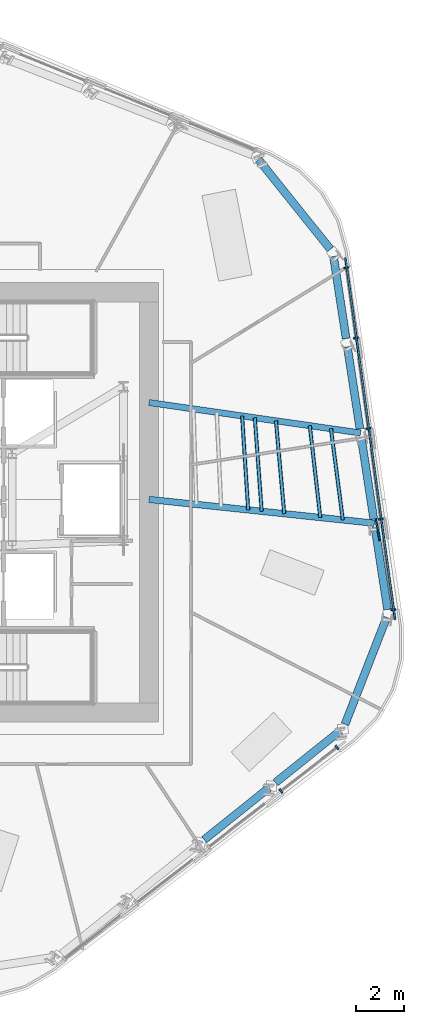
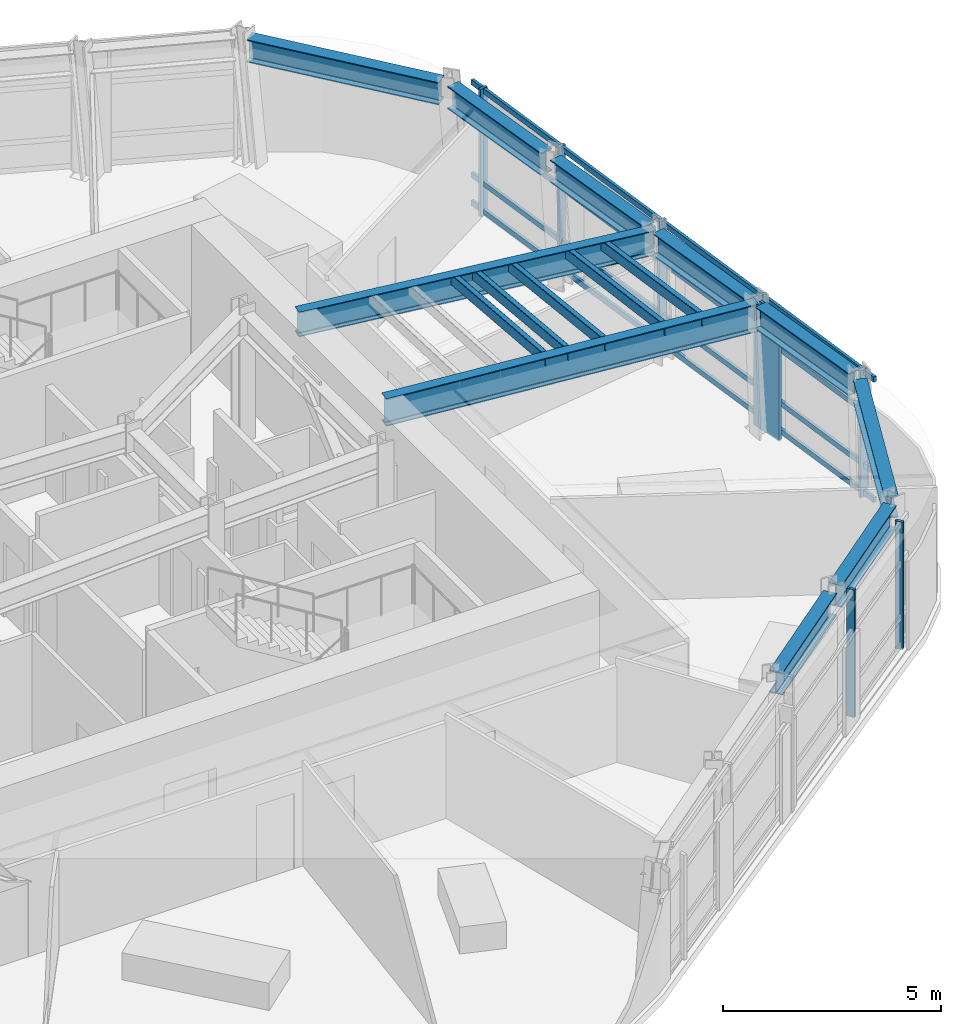
# One storey, part 5 of 15: 17 members, 10 beams, 2 elements without a shape of their own.
"""IFC4 building model written with IfcOpenShell, lengths in metres."""

from ifc_helpers import new_model, si_unit, direction, frame, origin, origin_2d, place, context, subcontext, project, spatial, rectangle, hollow_rectangle, i_section, extrude, material, layer, layer_set, material_profile, profile_set, type_object, element, aggregate, save


model = new_model("IFC4")

# Units and contexts
model_context = context("Model", 3, precision=1e-05, world=origin(), true_north=direction((0.0, 1.0)))
body_context = subcontext(model_context, "Body", "Model", "MODEL_VIEW")
ifc_project = project(units=[si_unit("LENGTHUNIT", "METRE"), si_unit("AREAUNIT", "SQUARE_METRE"), si_unit("VOLUMEUNIT", "CUBIC_METRE"), si_unit("PLANEANGLEUNIT", "RADIAN"), si_unit("MASSUNIT", "GRAM", prefix="KILO")], contexts=[model_context])

# Site, building, storey
site_placement = place(None, origin())
site = spatial("IfcSite", under=ifc_project, at=site_placement, CompositionType="ELEMENT")
building_placement = place(site_placement, origin())
building = spatial("IfcBuilding", under=site, at=building_placement, Name="Valkerne Bourse Tower", CompositionType="ELEMENT")
storey_placement = place(building_placement, frame((0.0, 0.0, 185.60009765625)))
storey = spatial("IfcBuildingStorey", under=building, at=storey_placement, Name="L47", CompositionType="ELEMENT", Elevation=185.60009765625)

# Beams
ifc_material_1 = material(Name="Steel ASTM A992", Category="steel")
ifc_material_profile_1 = material_profile(ifc_material_1, i_section(OverallWidth=0.32763671875, OverallDepth=0.62744140625, WebThickness=0.0166015625, FlangeThickness=0.027587890625, FilletRadius=0.020263671875, at=origin_2d()), Name="W24X146")
ifc_profile_set_1 = profile_set([ifc_material_profile_1], Name="Steel ASTM A992")
beam_type_1 = type_object("IfcBeamType", Name="BM-W24X146", PredefinedType="SPANDREL", material=ifc_profile_set_1)
for number, where, z_axis, x_axis, name in (
    (1, (58.276611328125, 12.94677734375, 3.26611328125), (0.780403454495, 0.625276297497, 0.0), (-0.625276297497, 0.780403454495, 0.0), "L47 Hexagonal Spandrel Ring Beam 22"),
    (2, (61.219482421875, 15.3046875, 3.26611328125), (0.780465994483, 0.625198233728, 0.0), (-0.625198233728, 0.780465994483, 0.0), "L47 Hexagonal Spandrel Ring Beam 23"),
):
    element("IfcBeam", number, at=place(storey_placement, frame(where, z_axis=z_axis, x_axis=x_axis)), inside=storey, type_object=beam_type_1, Name=name, PredefinedType="SPANDREL", context=body_context, shape_type="SweptSolid", body=[
        extrude(i_section(OverallWidth=0.32763671875, OverallDepth=0.62744140625, WebThickness=0.0166015625, FlangeThickness=0.027587890625, FilletRadius=0.020263671875, at=origin_2d()), origin(), (0.0, 0.0, 1.0), 3.430908203125),
    ])
beam_1_placement = place(storey_placement, frame((64.091796875, 17.714599609375, 3.26611328125), z_axis=(0.363241549817, 0.931695001857, 0.0), x_axis=(-0.931695001857, 0.363241549817, 0.0)))
element("IfcBeam", 3, at=beam_1_placement, inside=storey, type_object=beam_type_1, Name="L47 Hexagonal Spandrel Ring Beam 24", PredefinedType="SPANDREL", context=body_context, shape_type="SweptSolid", body=[
    extrude(i_section(OverallWidth=0.32763671875, OverallDepth=0.62744140625, WebThickness=0.0166015625, FlangeThickness=0.027587890625, FilletRadius=0.020263671875, at=origin_2d()), origin(), (0.0, 0.0, 1.0), 4.73974609375),
])
for number, where, z_axis, x_axis, name in (
    (4, (65.849609375, 22.45703125, 3.26611328125), (-0.151276483407, 0.988491489881, 0.0), (-0.988491489881, -0.151276483407, 0.0), "L47 Hexagonal Spandrel Ring Beam 25"),
    (5, (65.279296875, 26.184814453125, 3.26611328125), (-0.151276483407, 0.988491489881, 0.0), (-0.988491489881, -0.151276483407, 0.0), "L47 Hexagonal Spandrel Ring Beam 26"),
    (6, (64.708740234375, 29.912353515625, 3.26611328125), (-0.151276483407, 0.988491489881, 0.0), (-0.988491489881, -0.151276483407, 0.0), "L47 Hexagonal Spandrel Ring Beam 27"),
    (7, (64.138427734375, 33.639892578125, 3.26611328125), (-0.151276483407, 0.988491489881, 0.0), (-0.988491489881, -0.151276483407, 0.0), "L47 Hexagonal Spandrel Ring Beam 28"),
):
    element("IfcBeam", number, at=place(storey_placement, frame(where, z_axis=z_axis, x_axis=x_axis)), inside=storey, type_object=beam_type_1, Name=name, PredefinedType="SPANDREL", context=body_context, shape_type="SweptSolid", body=[
        extrude(i_section(OverallWidth=0.32763671875, OverallDepth=0.62744140625, WebThickness=0.0166015625, FlangeThickness=0.027587890625, FilletRadius=0.020263671875, at=origin_2d()), origin(), (0.0, 0.0, 1.0), 3.43115234375),
    ])
beam_2_placement = place(storey_placement, frame((63.4873046875, 37.332275390625, 3.26611328125), z_axis=(-0.625241369448, 0.780431438328, 0.0), x_axis=(-0.780431438328, -0.625241369448, 0.0)))
element("IfcBeam", 8, at=beam_2_placement, inside=storey, type_object=beam_type_1, Name="L47 Hexagonal Spandrel Ring Beam 29", PredefinedType="SPANDREL", context=body_context, shape_type="SweptSolid", body=[
    extrude(i_section(OverallWidth=0.32763671875, OverallDepth=0.62744140625, WebThickness=0.0166015625, FlangeThickness=0.027587890625, FilletRadius=0.020263671875, at=origin_2d()), origin(), (0.0, 0.0, 1.0), 4.739990234375),
])
ifc_material_profile_2 = material_profile(ifc_material_1, i_section(OverallWidth=0.255859375, OverallDepth=0.693359375, WebThickness=0.014404296875, FlangeThickness=0.023681640625, FilletRadius=0.02294921875, at=origin_2d()), Name="W27X114")
ifc_profile_set_2 = profile_set([ifc_material_profile_2], Name="Steel ASTM A992")
beam_type_2 = type_object("IfcBeamType", Name="BM-W27X114", PredefinedType="BEAM", material=ifc_profile_set_2)
beam_3_placement = place(storey_placement, frame((64.734619140625, 29.744384765625, 3.233154296875), z_axis=(-0.989825167436, 0.142288924061, 0.0), x_axis=(-0.142288924061, -0.989825167436, 0.0)))
element("IfcBeam", 9, at=beam_3_placement, inside=storey, type_object=beam_type_2, Name="L47 Radial Composite Floor Beam 27", PredefinedType="BEAM", context=body_context, shape_type="SweptSolid", body=[
    extrude(i_section(OverallWidth=0.255859375, OverallDepth=0.693359375, WebThickness=0.014404296875, FlangeThickness=0.023681640625, FilletRadius=0.02294921875, at=origin_2d()), origin(), (0.0, 0.0, 1.0), 8.824462890625),
])
ifc_material_profile_3 = material_profile(ifc_material_1, i_section(OverallWidth=0.26806640625, OverallDepth=0.76953125, WebThickness=0.015625, FlangeThickness=0.025390625, FilletRadius=0.025390625, at=origin_2d()), Name="W30X132")
ifc_profile_set_3 = profile_set([ifc_material_profile_3], Name="Steel ASTM A992")
beam_type_3 = type_object("IfcBeamType", Name="BM-W30X132", PredefinedType="BEAM", material=ifc_profile_set_3)
beam_4_placement = place(storey_placement, frame((65.304931640625, 26.0166015625, 3.195068359375), z_axis=(-0.994461616538, 0.105100395965, 0.0), x_axis=(-0.105100395965, -0.994461616538, 0.0)))
element("IfcBeam", 10, at=beam_4_placement, inside=storey, type_object=beam_type_3, Name="L47 Radial Composite Floor Beam 26", PredefinedType="BEAM", context=body_context, shape_type="SweptSolid", body=[
    extrude(i_section(OverallWidth=0.26806640625, OverallDepth=0.76953125, WebThickness=0.015625, FlangeThickness=0.025390625, FilletRadius=0.025390625, at=origin_2d()), origin(), (0.0, 0.0, 1.0), 9.356689453125),
])

# Curtain wall, members
ifc_material_2 = material(Name="Aluminium AA 6063-T6", Category="aluminium")
ifc_layer = layer(ifc_material_2, 0.235107421875)
ifc_layer_set = layer_set([ifc_layer], Name="Aluminium AA 6063-T6")
curtain_wall_type = type_object("IfcCurtainWallType", Name="CW-03", PredefinedType="NOTDEFINED", material=ifc_layer_set)
curtain_wall_1_placement = place(storey_placement, origin())
curtain_wall_1 = element("IfcCurtainWall", 11, at=curtain_wall_1_placement, inside=storey, type_object=curtain_wall_type, Name="L47 Hexagonal Stick Curtain Wall Face 5", PredefinedType="NOTDEFINED")
ifc_material_profile_4 = material_profile(ifc_material_2, rectangle(XDim=0.074951171875, YDim=0.199951171875, at=origin_2d()), Name="CWM-75X200")
ifc_profile_set_4 = profile_set([ifc_material_profile_4], Name="Aluminium AA 6063-T6")
member_type_1 = type_object("IfcMemberType", Name="CW-MUL-220X75", PredefinedType="MULLION", material=ifc_profile_set_4)
member_1_placement = place(storey_placement, frame((61.440185546875, 14.964111328125, 0.0), z_axis=(0.0, 0.0, 1.0), x_axis=(0.790154015691, 0.612908338569, 0.0)))
member_1 = element("IfcMember", 12, at=member_1_placement, type_object=member_type_1, Name="CW-L47-F5 Jamb Mullion 03A", PredefinedType="MULLION", context=body_context, shape_type="SweptSolid", body=[
    extrude(rectangle(XDim=0.074951171875, YDim=0.199951171875, at=origin_2d()), origin(), (0.0, 0.0, 1.0), 3.579833984375),
])
member_2_placement = place(storey_placement, frame((63.756103515625, 16.760498046875, 0.0), z_axis=(0.0, 0.0, 1.0), x_axis=(0.790154015691, 0.612908338569, 0.0)))
member_2 = element("IfcMember", 13, at=member_2_placement, type_object=member_type_1, Name="CW-L47-F5 Jamb Mullion 03B", PredefinedType="MULLION", context=body_context, shape_type="SweptSolid", body=[
    extrude(rectangle(XDim=0.074951171875, YDim=0.199951171875, at=origin_2d()), origin(), (0.0, 0.0, 1.0), 3.579833984375),
])
aggregate(curtain_wall_1, [member_1, member_2])

curtain_wall_2_placement = place(storey_placement, origin())
curtain_wall_2 = element("IfcCurtainWall", 14, at=curtain_wall_2_placement, inside=storey, type_object=curtain_wall_type, Name="L47 Hexagonal Stick Curtain Wall Face 6", PredefinedType="NOTDEFINED")
member_3_placement = place(storey_placement, frame((66.078857421875, 22.452392578125, 0.0), z_axis=(0.0, 0.0, 1.0), x_axis=(-0.135694217689, 0.990750765473, 0.0)))
member_3 = element("IfcMember", 15, at=member_3_placement, type_object=member_type_1, Name="CW-L47-F6 Jamb Mullion 00A", PredefinedType="MULLION", context=body_context, shape_type="SweptSolid", body=[
    extrude(rectangle(XDim=0.074951171875, YDim=0.199951171875, at=origin_2d()), origin(), (0.0, 0.0, 1.0), 3.579833984375),
])
member_4_placement = place(storey_placement, frame((65.567138671875, 26.1884765625, 0.0), z_axis=(0.0, 0.0, 1.0), x_axis=(-0.135720247585, 0.990747200044, 0.0)))
member_4 = element("IfcMember", 16, at=member_4_placement, type_object=member_type_1, Name="CW-L47-F6 Jamb Mullion 01A", PredefinedType="MULLION", context=body_context, shape_type="SweptSolid", body=[
    extrude(rectangle(XDim=0.074951171875, YDim=0.199951171875, at=origin_2d()), origin(), (0.0, 0.0, 1.0), 3.579833984375),
])
member_5_placement = place(storey_placement, frame((65.055419921875, 29.924560546875, 0.0), z_axis=(0.0, 0.0, 1.0), x_axis=(-0.135720247585, 0.990747200044, 0.0)))
member_5 = element("IfcMember", 17, at=member_5_placement, type_object=member_type_1, Name="CW-L47-F6 Jamb Mullion 02A", PredefinedType="MULLION", context=body_context, shape_type="SweptSolid", body=[
    extrude(rectangle(XDim=0.074951171875, YDim=0.199951171875, at=origin_2d()), origin(), (0.0, 0.0, 1.0), 3.579833984375),
])
member_6_placement = place(storey_placement, frame((64.54345703125, 33.66064453125, 0.0), z_axis=(0.0, 0.0, 1.0), x_axis=(-0.135720247585, 0.990747200044, 0.0)))
member_6 = element("IfcMember", 18, at=member_6_placement, type_object=member_type_1, Name="CW-L47-F6 Jamb Mullion 03A", PredefinedType="MULLION", context=body_context, shape_type="SweptSolid", body=[
    extrude(rectangle(XDim=0.074951171875, YDim=0.199951171875, at=origin_2d()), origin(), (0.0, 0.0, 1.0), 3.579833984375),
])
member_7_placement = place(storey_placement, frame((64.145751953125, 36.564453125, 0.0), z_axis=(0.0, 0.0, 1.0), x_axis=(-0.135720247585, 0.990747200044, 0.0)))
member_7 = element("IfcMember", 19, at=member_7_placement, type_object=member_type_1, Name="CW-L47-F6 Jamb Mullion 03B", PredefinedType="MULLION", context=body_context, shape_type="SweptSolid", body=[
    extrude(rectangle(XDim=0.074951171875, YDim=0.199951171875, at=origin_2d()), origin(), (0.0, 0.0, 1.0), 3.579833984375),
])
ifc_material_profile_5 = material_profile(ifc_material_2, rectangle(XDim=0.074951171875, YDim=0.14990234375, at=origin_2d()), Name="CWT-75X150")
ifc_profile_set_5 = profile_set([ifc_material_profile_5], Name="Aluminium AA 6063-T6")
member_type_2 = type_object("IfcMemberType", Name="CW-TRN-180X65", PredefinedType="USERDEFINED", material=ifc_profile_set_5)
member_8_placement = place(storey_placement, frame((66.155517578125, 22.0390625, 0.119873046875), z_axis=(-0.135715556759, 0.990747842619, 0.0), x_axis=(-0.990747842619, -0.135715556759, 0.0)))
member_8 = element("IfcMember", 20, at=member_8_placement, type_object=member_type_2, Name="CW-L47-F6 Continuous Face Transom 1", ObjectType="TRANSOM", PredefinedType="USERDEFINED", context=body_context, shape_type="SweptSolid", body=[
    extrude(rectangle(XDim=0.074951171875, YDim=0.14990234375, at=origin_2d()), origin(), (0.0, 0.0, 1.0), 15.083984375),
])
member_9_placement = place(storey_placement, frame((66.155517578125, 22.0390625, 0.89990234375), z_axis=(-0.135715556759, 0.990747842619, 0.0), x_axis=(-0.990747842619, -0.135715556759, 0.0)))
member_9 = element("IfcMember", 21, at=member_9_placement, type_object=member_type_2, Name="CW-L47-F6 Continuous Face Transom 2", ObjectType="TRANSOM", PredefinedType="USERDEFINED", context=body_context, shape_type="SweptSolid", body=[
    extrude(rectangle(XDim=0.074951171875, YDim=0.14990234375, at=origin_2d()), origin(), (0.0, 0.0, 1.0), 15.083984375),
])
member_10_placement = place(storey_placement, frame((66.155517578125, 22.0390625, 2.39990234375), z_axis=(-0.135715556759, 0.990747842619, 0.0), x_axis=(-0.990747842619, -0.135715556759, 0.0)))
member_10 = element("IfcMember", 22, at=member_10_placement, type_object=member_type_2, Name="CW-L47-F6 Continuous Face Transom 3", ObjectType="TRANSOM", PredefinedType="USERDEFINED", context=body_context, shape_type="SweptSolid", body=[
    extrude(rectangle(XDim=0.074951171875, YDim=0.14990234375, at=origin_2d()), origin(), (0.0, 0.0, 1.0), 15.083984375),
])
member_11_placement = place(storey_placement, frame((66.155517578125, 22.0390625, 3.5), z_axis=(-0.135715556759, 0.990747842619, 0.0), x_axis=(-0.990747842619, -0.135715556759, 0.0)))
member_11 = element("IfcMember", 23, at=member_11_placement, type_object=member_type_2, Name="CW-L47-F6 Continuous Face Transom 4", ObjectType="TRANSOM", PredefinedType="USERDEFINED", context=body_context, shape_type="SweptSolid", body=[
    extrude(rectangle(XDim=0.074951171875, YDim=0.14990234375, at=origin_2d()), origin(), (0.0, 0.0, 1.0), 15.083984375),
])
aggregate(curtain_wall_2, [member_8, member_9, member_10, member_11, member_3, member_4, member_5, member_6, member_7])

# Members
ifc_material_3 = material(Name="Bronze Anodised Aluminium AA 6063-T6", Category="aluminium")
ifc_material_profile_6 = material_profile(ifc_material_3, rectangle(XDim=0.070068359375, YDim=0.89990234375, at=origin_2d()), Name="FIN-70X900")
ifc_profile_set_6 = profile_set([ifc_material_profile_6], Name="Bronze Anodised Aluminium AA 6063-T6")
member_type_3 = type_object("IfcMemberType", Name="FIN-SOLAR-900", PredefinedType="USERDEFINED", material=ifc_profile_set_6)
member_12_placement = place(storey_placement, frame((65.44580078125, 25.747802734375, 0.00390625), z_axis=(0.0, 0.0, 1.0), x_axis=(0.982809175667, 0.184624278535, 0.0)))
element("IfcMember", 24, at=member_12_placement, inside=storey, type_object=member_type_3, Name="L47 Bronze Anodised Solar Fin F6-01", ObjectType="SOLAR_FIN", PredefinedType="USERDEFINED", context=body_context, shape_type="SweptSolid", body=[
    extrude(rectangle(XDim=0.070068359375, YDim=0.89990234375, at=origin_2d()), origin(), (0.0, 0.0, 1.0), 3.572021484375),
])
ifc_material_4 = material(Name="Steel ASTM A500 Grade C", Category="steel")
ifc_material_profile_7 = material_profile(ifc_material_4, hollow_rectangle(XDim=0.14990234375, YDim=0.300048828125, WallThickness=0.012451171875, OuterFilletRadius=0.02490234375, at=origin_2d()), Name="HSS300X150X12.5")
ifc_profile_set_7 = profile_set([ifc_material_profile_7], Name="Steel ASTM A500 Grade C")
member_type_4 = type_object("IfcMemberType", Name="MBR-HSS300X150X12.5", PredefinedType="PURLIN", material=ifc_profile_set_7)
member_13_placement = place(storey_placement, frame((60.09423828125, 26.5673828125, 3.419921875), z_axis=(-0.064547677202, 0.997914624288, 0.0), x_axis=(-0.997914624288, -0.064547677202, 0.0)))
element("IfcMember", 25, at=member_13_placement, inside=storey, type_object=member_type_4, Name="L47 Secondary Composite Floor Purlin K-26", PredefinedType="PURLIN", context=body_context, shape_type="SweptSolid", body=[
    extrude(hollow_rectangle(XDim=0.14990234375, YDim=0.300048828125, WallThickness=0.012451171875, OuterFilletRadius=0.02490234375, at=origin_2d()), origin(), (0.0, 0.0, 1.0), 3.88818359375),
])
member_14_placement = place(storey_placement, frame((60.652587890625, 26.50830078125, 3.419921875), z_axis=(-0.073660470608, 0.997283377516, 0.0), x_axis=(-0.997283377516, -0.073660470608, 0.0)))
element("IfcMember", 26, at=member_14_placement, inside=storey, type_object=member_type_4, Name="L47 Secondary Composite Floor Purlin M-26", PredefinedType="PURLIN", context=body_context, shape_type="SweptSolid", body=[
    extrude(hollow_rectangle(XDim=0.14990234375, YDim=0.300048828125, WallThickness=0.012451171875, OuterFilletRadius=0.02490234375, at=origin_2d()), origin(), (0.0, 0.0, 1.0), 3.87451171875),
])
member_15_placement = place(storey_placement, frame((63.07177734375, 26.252685546875, 3.419921875), z_axis=(-0.113575448549, 0.993529374245, 0.0), x_axis=(-0.993529374245, -0.113575448549, 0.0)))
element("IfcMember", 27, at=member_15_placement, inside=storey, type_object=member_type_4, Name="L47 Secondary Composite Floor Purlin O-26", PredefinedType="PURLIN", context=body_context, shape_type="SweptSolid", body=[
    extrude(hollow_rectangle(XDim=0.14990234375, YDim=0.300048828125, WallThickness=0.012451171875, OuterFilletRadius=0.02490234375, at=origin_2d()), origin(), (0.0, 0.0, 1.0), 3.817626953125),
])
member_16_placement = place(storey_placement, frame((61.5830078125, 26.409912109375, 3.419921875), z_axis=(-0.088861197234, 0.99604401892, 0.0), x_axis=(-0.99604401892, -0.088861197234, 0.0)))
element("IfcMember", 28, at=member_16_placement, inside=storey, type_object=member_type_4, Name="L47 Secondary Composite Floor Purlin Z-26", PredefinedType="PURLIN", context=body_context, shape_type="SweptSolid", body=[
    extrude(hollow_rectangle(XDim=0.14990234375, YDim=0.300048828125, WallThickness=0.012451171875, OuterFilletRadius=0.02490234375, at=origin_2d()), origin(), (0.0, 0.0, 1.0), 3.851806640625),
])
member_17_placement = place(storey_placement, frame((64.002197265625, 26.154296875, 3.419921875), z_axis=(-0.129152295814, 0.991624770004, 0.0), x_axis=(-0.991624770004, -0.129152295814, 0.0)))
element("IfcMember", 29, at=member_17_placement, inside=storey, type_object=member_type_4, Name="L47 Secondary Composite Floor Purlin T-26", PredefinedType="PURLIN", context=body_context, shape_type="SweptSolid", body=[
    extrude(hollow_rectangle(XDim=0.14990234375, YDim=0.300048828125, WallThickness=0.012451171875, OuterFilletRadius=0.02490234375, at=origin_2d()), origin(), (0.0, 0.0, 1.0), 3.797607421875),
])

save(model, "model.ifc")
